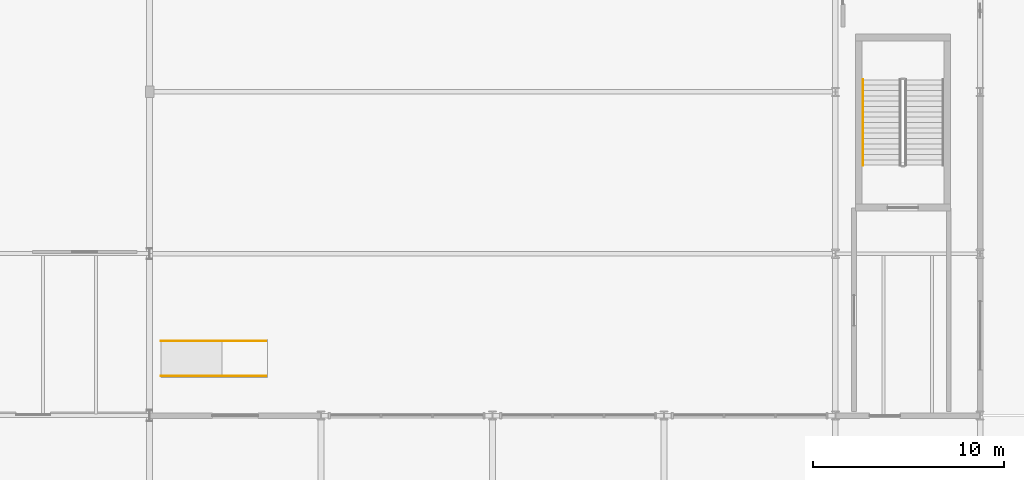
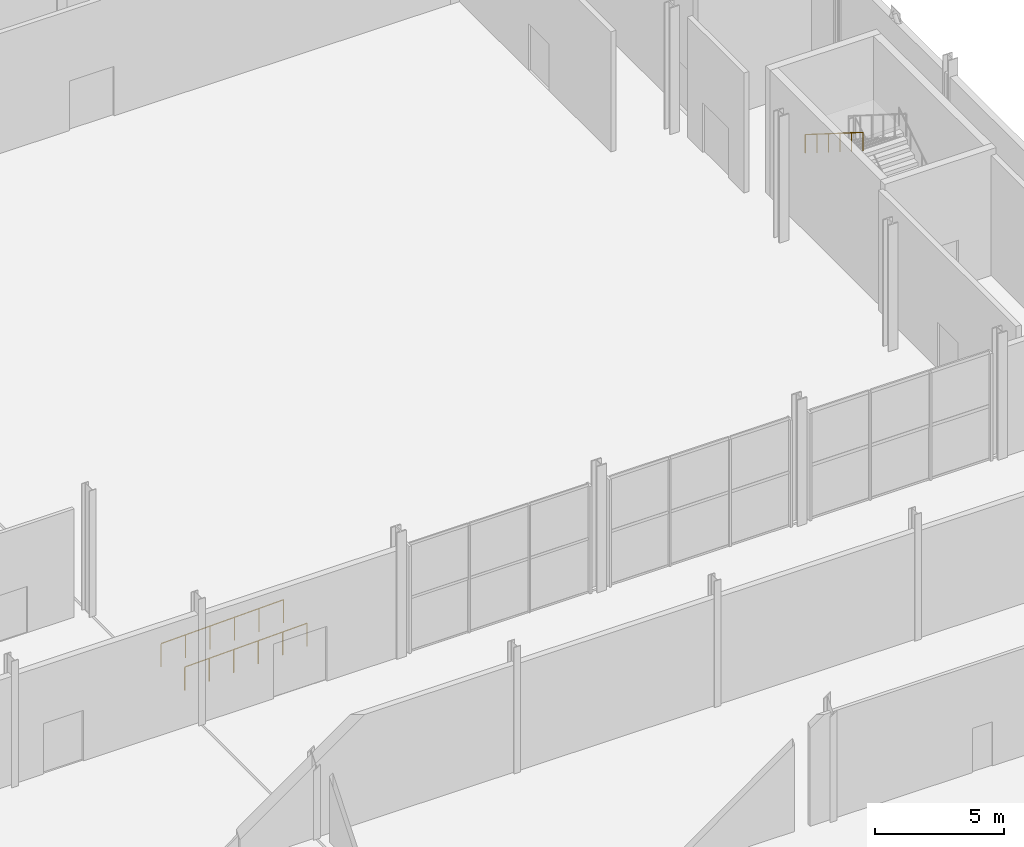
# One storey, part 81 of 84: 3 railings, 1 element without a shape of its own.
"""IFC4 building model written with IfcOpenShell, lengths in metres."""

from ifc_helpers import new_model, si_unit, direction, frame, origin, origin_2d, place, context, subcontext, project, spatial, circle, extrude, material, type_object, element, aggregate, save


model = new_model("IFC4")

# Units and contexts
model_context = context("Model", 3, precision=1e-05, world=origin(), true_north=direction((0.0, 1.0)))
body_context = subcontext(model_context, "Body", "Model", "MODEL_VIEW")
ifc_project = project(units=[si_unit("LENGTHUNIT", "METRE"), si_unit("AREAUNIT", "SQUARE_METRE"), si_unit("VOLUMEUNIT", "CUBIC_METRE"), si_unit("PLANEANGLEUNIT", "RADIAN"), si_unit("MASSUNIT", "GRAM", prefix="KILO")], contexts=[model_context])

# Site, building, storey
site_placement = place(None, origin())
site = spatial("IfcSite", under=ifc_project, at=site_placement, CompositionType="ELEMENT")
building_placement = place(site_placement, origin())
building = spatial("IfcBuilding", under=site, at=building_placement, Name="Sefraquen Railside Congress Hotel", CompositionType="ELEMENT")
storey_placement = place(building_placement, origin())
storey = spatial("IfcBuildingStorey", under=building, at=storey_placement, Name="L00", CompositionType="ELEMENT", Elevation=0.0)

# Ramp, railings
ifc_material_1 = material(Name="Concrete C40/50", Category="concrete")
ramp_type = type_object("IfcRampType", Name="TRP-PED-01", PredefinedType="STRAIGHT_RUN_RAMP", material=ifc_material_1)
ramp_placement = place(storey_placement, origin())
ramp = element("IfcRamp", 1, at=ramp_placement, inside=storey, type_object=ramp_type, Name="Accessible 1:20 interior dais ramp RMP-L00-PED-03", PredefinedType="STRAIGHT_RUN_RAMP")
ifc_material_2 = material(Name="Patinated wrought architectural bronze", Category="metal")
railing_type_1 = type_object("IfcRailingType", Name="TRL-BAL-110", PredefinedType="BALUSTRADE", material=ifc_material_2)
railing_1_placement = place(storey_placement, frame((129.0, 56.080078125, 0.0)))
railing_1 = element("IfcRailing", 2, at=railing_1_placement, type_object=railing_type_1, Name="Accessible ramp guard RMP-L00-PED-03-HR1", PredefinedType="BALUSTRADE", context=body_context, shape_type="SweptSolid", body=[
    extrude(circle(Radius=0.02392578125, at=origin_2d()), frame((0.0, 0.0, 1.09619140625), z_axis=(0.999577592046, 0.0, 0.029062647496), x_axis=(0.0, 1.0, 0.0)), (0.0, 0.0, 1.0), 5.50244140625),
    extrude(circle(Radius=0.02099609375, at=origin_2d()), origin(), (0.0, 0.0, 1.0), 1.072021484375),
    extrude(circle(Radius=0.02099609375, at=origin_2d()), frame((1.10009765625, 0.0, 0.031982421875)), (0.0, 0.0, 1.0), 1.072021484375),
    extrude(circle(Radius=0.02099609375, at=origin_2d()), frame((2.199951171875, 0.0, 0.06396484375)), (0.0, 0.0, 1.0), 1.072021484375),
    extrude(circle(Radius=0.02099609375, at=origin_2d()), frame((3.300048828125, 0.0, 0.095947265625)), (0.0, 0.0, 1.0), 1.072021484375),
    extrude(circle(Radius=0.02099609375, at=origin_2d()), frame((4.39990234375, 0.0, 0.1279296875)), (0.0, 0.0, 1.0), 1.072021484375),
    extrude(circle(Radius=0.02099609375, at=origin_2d()), frame((5.5, 0.0, 0.159912109375)), (0.0, 0.0, 1.0), 1.072021484375),
])
railing_2_placement = place(storey_placement, frame((129.0, 57.919921875, 0.0)))
railing_2 = element("IfcRailing", 3, at=railing_2_placement, type_object=railing_type_1, Name="Accessible ramp guard RMP-L00-PED-03-HR2", PredefinedType="BALUSTRADE", context=body_context, shape_type="SweptSolid", body=[
    extrude(circle(Radius=0.02392578125, at=origin_2d()), frame((0.0, 0.0, 1.09619140625), z_axis=(0.999577592046, 0.0, 0.029062647496), x_axis=(0.0, 1.0, 0.0)), (0.0, 0.0, 1.0), 5.50244140625),
    extrude(circle(Radius=0.02099609375, at=origin_2d()), origin(), (0.0, 0.0, 1.0), 1.072021484375),
    extrude(circle(Radius=0.02099609375, at=origin_2d()), frame((1.10009765625, 0.0, 0.031982421875)), (0.0, 0.0, 1.0), 1.072021484375),
    extrude(circle(Radius=0.02099609375, at=origin_2d()), frame((2.199951171875, 0.0, 0.06396484375)), (0.0, 0.0, 1.0), 1.072021484375),
    extrude(circle(Radius=0.02099609375, at=origin_2d()), frame((3.300048828125, 0.0, 0.095947265625)), (0.0, 0.0, 1.0), 1.072021484375),
    extrude(circle(Radius=0.02099609375, at=origin_2d()), frame((4.39990234375, 0.0, 0.1279296875)), (0.0, 0.0, 1.0), 1.072021484375),
    extrude(circle(Radius=0.02099609375, at=origin_2d()), frame((5.5, 0.0, 0.159912109375)), (0.0, 0.0, 1.0), 1.072021484375),
])
aggregate(ramp, [railing_1, railing_2])

# Railing
railing_type_2 = type_object("IfcRailingType", Name="TRL-HR-090", PredefinedType="HANDRAIL", material=ifc_material_2)
railing_3_placement = place(storey_placement, frame((165.85009765625, 71.6298828125, 3.176513671875)))
element("IfcRailing", 4, at=railing_3_placement, inside=storey, type_object=railing_type_2, Name="L00 ST-B02 stair handrail 2", PredefinedType="HANDRAIL", context=body_context, shape_type="SweptSolid", body=[
    extrude(circle(Radius=0.02392578125, at=origin_2d()), frame((0.0, 0.0, 0.8759765625), z_axis=(0.0, -0.845997938375, 0.533186166611), x_axis=(1.0, 0.0, 0.0)), (0.0, 0.0, 1.0), 5.29541015625),
    extrude(circle(Radius=0.02099609375, at=origin_2d()), origin(), (0.0, 0.0, 1.0), 0.851806640625),
    extrude(circle(Radius=0.02099609375, at=origin_2d()), frame((0.0, -0.89599609375, 0.564697265625)), (0.0, 0.0, 1.0), 0.851806640625),
    extrude(circle(Radius=0.02099609375, at=origin_2d()), frame((0.0, -1.7919921875, 1.12939453125)), (0.0, 0.0, 1.0), 0.851806640625),
    extrude(circle(Radius=0.02099609375, at=origin_2d()), frame((0.0, -2.68798828125, 1.694091796875)), (0.0, 0.0, 1.0), 0.851806640625),
    extrude(circle(Radius=0.02099609375, at=origin_2d()), frame((0.0, -3.583984375, 2.2587890625)), (0.0, 0.0, 1.0), 0.851806640625),
    extrude(circle(Radius=0.02099609375, at=origin_2d()), frame((0.0, -4.47998046875, 2.823486328125)), (0.0, 0.0, 1.0), 0.851806640625),
])

save(model, "model.ifc")
